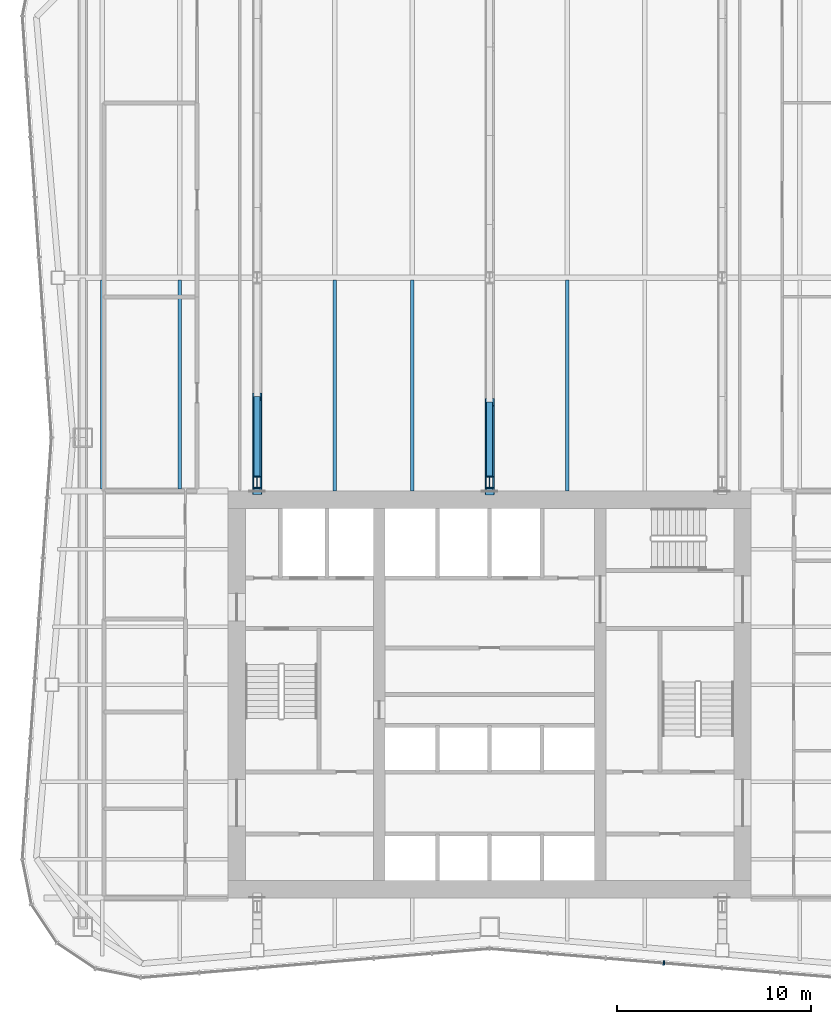
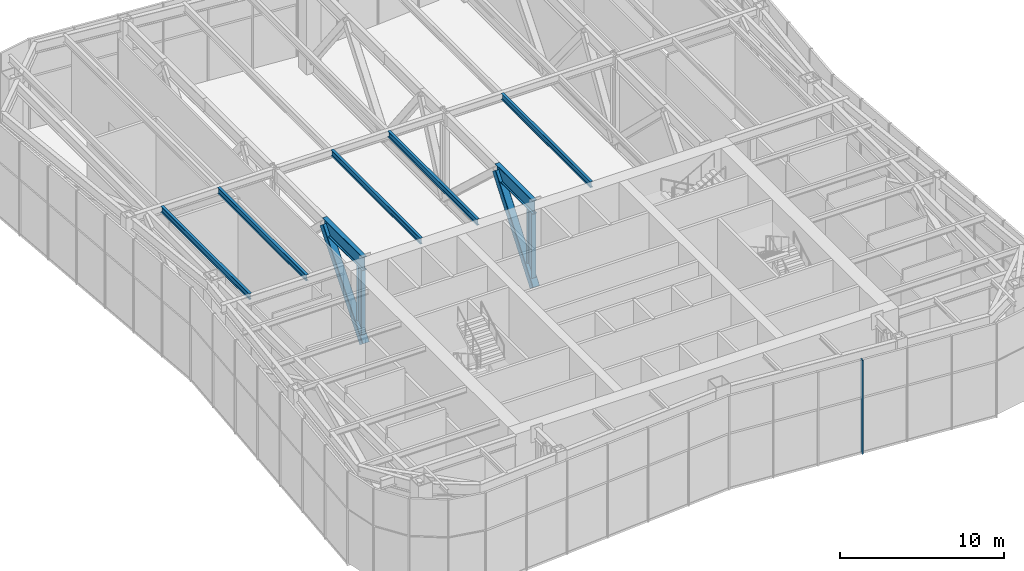
# One storey, part 3 of 14: 7 members, 5 beams, 1 element without a shape of its own.
"""IFC4 building model written with IfcOpenShell, lengths in metres."""

import ifcopenshell
import ifcopenshell.guid

model = None  # the IFC model being written
_history = None  # IfcOwnerHistory: only IFC2X3 demands one
_inside = {}  # id of a spatial element -> (the spatial element, [elements in it])
_under = {}  # id of a project, library or spatial element -> (it, [spatial elements below it])
_declared = {}  # id of a project -> (the project, [libraries it declares])
_typed = {}  # id of a type object -> (the type object, [elements of that type])
_made_of = {}  # id of a material, layer set ... -> (it, [elements and type objects made of it])


def new_model(schema):
    """Start an empty IFC model of exactly this schema.

    Asked for "IFC4X3", IfcOpenShell would pick the latest addendum, in which some entities
    have other attributes; the version numbers below select the first issue.
    IFC2X3 requires an IfcOwnerHistory on every rooted entity: one is made here for all.
    """
    global model, _history
    if schema == "IFC4X3":
        model = ifcopenshell.file(schema_version=(4, 3, 0, 0))
    else:
        model = ifcopenshell.file(schema=schema)
    _inside.clear()
    _under.clear()
    _declared.clear()
    _typed.clear()
    _made_of.clear()
    _history = None
    if model.schema == "IFC2X3":
        org = make("IfcOrganization", Name="unknown")
        user = make(
            "IfcPersonAndOrganization",
            ThePerson=make("IfcPerson", FamilyName="unknown"),
            TheOrganization=org,
        )
        app = make(
            "IfcApplication",
            ApplicationDeveloper=org,
            Version="unknown",
            ApplicationFullName="unknown",
            ApplicationIdentifier="unknown",
        )
        _history = make(
            "IfcOwnerHistory",
            OwningUser=user,
            OwningApplication=app,
            ChangeAction="ADDED",
            CreationDate=0,
        )
    return model


def make(cls, **values):
    """One entity of the class cls with the attributes given. An attribute that is None is left unset."""
    return model.create_entity(
        cls, **{name: value for name, value in values.items() if value is not None}
    )


def rooted(cls, **values):
    """An entity with a GlobalId (a new one), such as an element, a storey or a relation."""
    return make(cls, GlobalId=ifcopenshell.guid.new(), OwnerHistory=_history, **values)


def si_unit(unit_type, name, prefix=None):
    """IfcSIUnit, for example si_unit("LENGTHUNIT", "METRE", prefix="MILLI")."""
    return make("IfcSIUnit", UnitType=unit_type, Prefix=prefix, Name=name)


def assignment(units):
    """IfcUnitAssignment: the units of a project."""
    return None if units is None else make("IfcUnitAssignment", Units=units)


def point(xyz):
    """IfcCartesianPoint."""
    return None if xyz is None else make("IfcCartesianPoint", Coordinates=xyz)


def direction(xyz):
    """IfcDirection."""
    return None if xyz is None else make("IfcDirection", DirectionRatios=xyz)


def frame(location, z_axis=None, x_axis=None):
    """IfcAxis2Placement3D, a coordinate frame: its origin and axes. An axis left out is left unset."""
    return make(
        "IfcAxis2Placement3D",
        Location=point(location),
        Axis=direction(z_axis),
        RefDirection=direction(x_axis),
    )


def frame_2d(location, x_axis=None):
    """IfcAxis2Placement2D, a coordinate frame in the plane: its origin and x axis."""
    return make(
        "IfcAxis2Placement2D", Location=point(location), RefDirection=direction(x_axis)
    )


def origin():
    """The frame at (0, 0, 0) with its axes left unset."""
    return frame((0.0, 0.0, 0.0))


def origin_2d():
    """The frame at (0, 0) in the plane with its x axis left unset."""
    return frame_2d((0.0, 0.0))


def place(relative_to, where):
    """IfcLocalPlacement: puts the frame where relative to a parent placement (None: the world)."""
    return make(
        "IfcLocalPlacement", PlacementRelTo=relative_to, RelativePlacement=where
    )


def context(
    kind, dimensions, precision=None, world=None, true_north=None, identifier=None
):
    """IfcGeometricRepresentationContext, for example the 3D "Model" context."""
    return make(
        "IfcGeometricRepresentationContext",
        ContextIdentifier=identifier,
        ContextType=kind,
        CoordinateSpaceDimension=dimensions,
        Precision=precision,
        WorldCoordinateSystem=world,
        TrueNorth=true_north,
    )


def subcontext(parent, identifier, kind, view, scale=None):
    """IfcGeometricRepresentationSubContext, for example "Body" below "Model"."""
    return make(
        "IfcGeometricRepresentationSubContext",
        ContextIdentifier=identifier,
        ContextType=kind,
        ParentContext=parent,
        TargetScale=scale,
        TargetView=view,
    )


def project(units=None, contexts=None):
    """IfcProject with its units and contexts."""
    return rooted(
        "IfcProject",
        Name="project",
        RepresentationContexts=contexts,
        UnitsInContext=assignment(units),
    )


def spatial(cls, under=None, at=None, **own):
    """A site, building, storey or space (cls), placed at a placement, below another one or the project."""
    s = rooted(cls, ObjectPlacement=at, **own)
    if under is not None:
        _under.setdefault(under.id(), (under, []))[1].append(s)
    return s


def profile(cls, at=None, kind="AREA", **sizes):
    """A parametric profile (cls). Its sizes go by their IFC names, for example OverallWidth=200.0."""
    return make(cls, ProfileType=kind, Position=at, **sizes)


def rectangle(**sizes):
    """IfcRectangleProfileDef."""
    return profile("IfcRectangleProfileDef", **sizes)


def hollow_rectangle(**sizes):
    """IfcRectangleHollowProfileDef."""
    return profile("IfcRectangleHollowProfileDef", **sizes)


def i_section(**sizes):
    """IfcIShapeProfileDef."""
    return profile("IfcIShapeProfileDef", **sizes)


def extrude(swept, where, along, depth):
    """IfcExtrudedAreaSolid: the profile swept, set in the frame where, extruded along a direction by depth."""
    return make(
        "IfcExtrudedAreaSolid",
        SweptArea=swept,
        Position=where,
        ExtrudedDirection=direction(along),
        Depth=depth,
    )


def shape(context_of_items, identifier, shape_type, items):
    """IfcShapeRepresentation: the items that make up one representation, for example the "Body"."""
    return make(
        "IfcShapeRepresentation",
        ContextOfItems=context_of_items,
        RepresentationIdentifier=identifier,
        RepresentationType=shape_type,
        Items=items,
    )


def material(Name=None, Category=None):
    """IfcMaterial."""
    return make("IfcMaterial", Name=Name, Category=Category)


def material_profile(
    of_material, cross_section, Name=None, Category=None, Priority=None
):
    """IfcMaterialProfile: a cross section and its material."""
    return make(
        "IfcMaterialProfile",
        Name=Name,
        Material=of_material,
        Profile=cross_section,
        Priority=Priority,
        Category=Category,
    )


def profile_set(profiles, Name=None, composite=None):
    """IfcMaterialProfileSet."""
    return make(
        "IfcMaterialProfileSet",
        Name=Name,
        MaterialProfiles=profiles,
        CompositeProfile=composite,
    )


def made_of(thing, what):
    """Note that an element or type object is made of a material, layer set ...; save() writes the relation."""
    if what is not None:
        _made_of.setdefault(what.id(), (what, []))[1].append(thing)
    return thing


def type_object(cls, material=None, **own):
    """A type object (cls), such as IfcWallType, which elements share."""
    return made_of(rooted(cls, **own), material)


def element(
    cls,
    number,
    at=None,
    inside=None,
    cuts=None,
    type_object=None,
    material=None,
    context=None,
    identifier="Body",
    shape_type=None,
    held_by="IfcProductDefinitionShape",
    body=None,
    shapes=None,
    **own,
):
    """One element of the class cls, such as IfcWall. Its Tag is "e" and its number.

    at: its placement. inside: the storey or other place that contains it. cuts: it is an
    opening in that element (IfcRelVoidsElement). A single representation is given by context,
    identifier, shape_type and body (its items); several are given by shapes. held_by: the class
    of the entity that holds the representations. save() writes the other relations.
    """
    e = rooted(cls, Tag="e%d" % number, ObjectPlacement=at, **own)
    if body is not None:
        shapes = [shape(context, identifier, shape_type, body)]
    if shapes is not None:
        e.Representation = make(held_by, Representations=shapes)
    if inside is not None:
        _inside.setdefault(inside.id(), (inside, []))[1].append(e)
    if cuts is not None:
        rooted(
            "IfcRelVoidsElement", RelatingBuildingElement=cuts, RelatedOpeningElement=e
        )
    if type_object is not None:
        _typed.setdefault(type_object.id(), (type_object, []))[1].append(e)
    return made_of(e, material)


def aggregate(whole, parts):
    """IfcRelAggregates: a whole, such as a stair, and the parts it consists of."""
    return rooted("IfcRelAggregates", RelatingObject=whole, RelatedObjects=parts)


def save(model, path):
    """Write the relations noted so far, then the file.

    IfcRelAggregates (storeys below a building ...), IfcRelContainedInSpatialStructure (elements
    in a storey), IfcRelDefinesByType, IfcRelAssociatesMaterial and IfcRelDeclares: one each for
    every whole, place, type object, material and project.
    """
    for whole, parts in _under.values():
        aggregate(whole, parts)
    for where, things in _inside.values():
        rooted(
            "IfcRelContainedInSpatialStructure",
            RelatedElements=things,
            RelatingStructure=where,
        )
    for kind, things in _typed.values():
        rooted("IfcRelDefinesByType", RelatedObjects=things, RelatingType=kind)
    for what, things in _made_of.values():
        rooted("IfcRelAssociatesMaterial", RelatedObjects=things, RelatingMaterial=what)
    for by, libraries in _declared.values():
        rooted("IfcRelDeclares", RelatingContext=by, RelatedDefinitions=libraries)
    model.write(path)


model = new_model("IFC4")

# Units and contexts
model_context = context("Model", 3, precision=1e-05, world=origin(), true_north=direction((0.0, 1.0)))
body_context = subcontext(model_context, "Body", "Model", "MODEL_VIEW")
ifc_project = project(units=[si_unit("LENGTHUNIT", "METRE"), si_unit("AREAUNIT", "SQUARE_METRE"), si_unit("VOLUMEUNIT", "CUBIC_METRE"), si_unit("PLANEANGLEUNIT", "RADIAN"), si_unit("MASSUNIT", "GRAM", prefix="KILO")], contexts=[model_context])

# Site, building, storey
site_placement = place(None, origin())
site = spatial("IfcSite", under=ifc_project, at=site_placement, CompositionType="ELEMENT")
building_placement = place(site_placement, origin())
building = spatial("IfcBuilding", under=site, at=building_placement, Name="Verdant Reach Tower", CompositionType="ELEMENT")
storey_placement = place(building_placement, frame((0.0, 0.0, 226.0)))
storey = spatial("IfcBuildingStorey", under=building, at=storey_placement, Name="L52 Plant", CompositionType="ELEMENT", Elevation=226.0)

# Curtain wall, member
ifc_material_1 = material(Name="Anodised aluminium", Category="aluminium")
curtain_wall_type = type_object("IfcCurtainWallType", Name="EN-CW SYSTEM PLANT", PredefinedType="NOTDEFINED", material=ifc_material_1)
curtain_wall_placement = place(storey_placement, origin())
curtain_wall = element("IfcCurtainWall", 1, at=curtain_wall_placement, inside=storey, type_object=curtain_wall_type, Name="Curtain wall south, L52", PredefinedType="NOTDEFINED")
ifc_material_profile_1 = material_profile(ifc_material_1, rectangle(XDim=0.238037109375, YDim=0.080078125, at=origin_2d()), Name="Mullion 80x240")
ifc_profile_set_1 = profile_set([ifc_material_profile_1], Name="Anodised aluminium")
member_type_1 = type_object("IfcMemberType", Name="EN-MULLION PLANT", PredefinedType="MULLION", material=ifc_profile_set_1)
member_1_placement = place(storey_placement, frame((8.990234375, 14.13134765625, -0.35009765625), z_axis=(0.0, 0.0, 1.0), x_axis=(-0.083045479859, -0.996545758244, 0.0)))
member_1 = element("IfcMember", 2, at=member_1_placement, type_object=member_type_1, Name="Mullion south face part 2 4, L52", PredefinedType="MULLION", context=body_context, shape_type="SweptSolid", body=[
    extrude(rectangle(XDim=0.238037109375, YDim=0.080078125, at=origin_2d()), origin(), (0.0, 0.0, 1.0), 7.0),
])
aggregate(curtain_wall, [member_1])

# Beams
ifc_material_2 = material(Name="Steel S355", Category="steel")
ifc_material_profile_2 = material_profile(ifc_material_2, i_section(OverallWidth=0.18994140625, OverallDepth=0.449951171875, WebThickness=0.009521484375, FlangeThickness=0.0146484375, FilletRadius=0.02099609375, at=origin_2d()), Name="IPE 450")
ifc_profile_set_2 = profile_set([ifc_material_profile_2], Name="Steel S355")
beam_type = type_object("IfcBeamType", Name="ST-JOIST-IPE450", PredefinedType="JOIST", material=ifc_profile_set_2)
for number, where, z_axis, x_axis, name in (
    (3, (-20.0, 38.60009765625, 6.64501953125), (0.0, 1.0, 0.0), (-1.0, 0.0, 0.0), "Floor joist, L52 Plant"),
    (4, (-16.0, 38.60009765625, 6.64501953125), (0.0, 1.0, 0.0), (-1.0, 0.0, 0.0), "Floor joist, L52 Plant"),
):
    element("IfcBeam", number, at=place(storey_placement, frame(where, z_axis=z_axis, x_axis=x_axis)), inside=storey, type_object=beam_type, Name=name, PredefinedType="JOIST", context=body_context, shape_type="SweptSolid", body=[
        extrude(i_section(OverallWidth=0.18994140625, OverallDepth=0.449951171875, WebThickness=0.009521484375, FlangeThickness=0.0146484375, FilletRadius=0.02099609375, at=origin_2d()), origin(), (0.0, 0.0, 1.0), 10.7998046875),
    ])
for number, where, z_axis, x_axis, name in (
    (5, (-8.0, 38.5, 6.64501953125), (0.0, 1.0, 0.0), (-1.0, 0.0, 0.0), "Floor joist, L52 Plant"),
    (6, (-4.0, 38.5, 6.64501953125), (0.0, 1.0, 0.0), (-1.0, 0.0, 0.0), "Floor joist, L52 Plant"),
    (7, (4.0, 38.5, 6.64501953125), (0.0, 1.0, 0.0), (-1.0, 0.0, 0.0), "Floor joist, L52 Plant"),
):
    element("IfcBeam", number, at=place(storey_placement, frame(where, z_axis=z_axis, x_axis=x_axis)), inside=storey, type_object=beam_type, Name=name, PredefinedType="JOIST", context=body_context, shape_type="SweptSolid", body=[
        extrude(i_section(OverallWidth=0.18994140625, OverallDepth=0.449951171875, WebThickness=0.009521484375, FlangeThickness=0.0146484375, FilletRadius=0.02099609375, at=origin_2d()), origin(), (0.0, 0.0, 1.0), 10.89990234375),
    ])

# Members
ifc_material_3 = material(Name="Steel S460", Category="steel")
ifc_material_profile_3 = material_profile(ifc_material_3, hollow_rectangle(XDim=0.5, YDim=0.5, WallThickness=0.02490234375, InnerFilletRadius=0.02490234375, OuterFilletRadius=0.050048828125, at=origin_2d()), Name="RHS 500x500x25")
ifc_profile_set_3 = profile_set([ifc_material_profile_3], Name="Steel S460")
member_type_2 = type_object("IfcMemberType", Name="ST-TRUSS-BRACE-RHS500x500x25", PredefinedType="BRACE", material=ifc_profile_set_3)
member_2_placement = place(storey_placement, frame((-12.0, 38.5, 0.406982421875), z_axis=(0.0, 0.63317734868, 0.774006747463), x_axis=(-1.0, 0.0, 0.0)))
element("IfcMember", 8, at=member_2_placement, inside=storey, type_object=member_type_2, Name="Belt truss C north, diagonal, L52 Plant", PredefinedType="BRACE", context=body_context, shape_type="SweptSolid", body=[
    extrude(hollow_rectangle(XDim=0.5, YDim=0.5, WallThickness=0.02490234375, InnerFilletRadius=0.02490234375, OuterFilletRadius=0.050048828125, at=origin_2d()), origin(), (0.0, 0.0, 1.0), 7.698974609375),
])
member_3_placement = place(storey_placement, frame((0.0, 38.5, 0.406982421875), z_axis=(0.0, 0.609662106851, 0.792661412881), x_axis=(-1.0, 0.0, 0.0)))
element("IfcMember", 9, at=member_3_placement, inside=storey, type_object=member_type_2, Name="Belt truss D north, diagonal, L52 Plant", PredefinedType="BRACE", context=body_context, shape_type="SweptSolid", body=[
    extrude(hollow_rectangle(XDim=0.5, YDim=0.5, WallThickness=0.02490234375, InnerFilletRadius=0.02490234375, OuterFilletRadius=0.050048828125, at=origin_2d()), origin(), (0.0, 0.0, 1.0), 7.517578125),
])
ifc_material_profile_4 = material_profile(ifc_material_3, i_section(OverallWidth=0.302001953125, OverallDepth=1.008056640625, WebThickness=0.02099609375, FlangeThickness=0.0400390625, FilletRadius=0.030029296875, at=origin_2d()), Name="HEM 1000")
ifc_profile_set_4 = profile_set([ifc_material_profile_4], Name="Steel S460")
member_type_3 = type_object("IfcMemberType", Name="ST-TRUSS-CHORD-HEM1000", PredefinedType="CHORD", material=ifc_profile_set_4)
member_4_placement = place(storey_placement, frame((-12.0, 38.5, 6.365966796875), z_axis=(0.0, 1.0, 0.0), x_axis=(-1.0, 0.0, 0.0)))
element("IfcMember", 10, at=member_4_placement, inside=storey, type_object=member_type_3, Name="Belt truss C north, top chord, L52 Plant", PredefinedType="CHORD", context=body_context, shape_type="SweptSolid", body=[
    extrude(i_section(OverallWidth=0.302001953125, OverallDepth=1.008056640625, WebThickness=0.02099609375, FlangeThickness=0.0400390625, FilletRadius=0.030029296875, at=origin_2d()), origin(), (0.0, 0.0, 1.0), 4.874755859375),
])
member_5_placement = place(storey_placement, frame((0.0, 38.5, 6.365966796875), z_axis=(0.0, 1.0, 0.0), x_axis=(-1.0, 0.0, 0.0)))
element("IfcMember", 11, at=member_5_placement, inside=storey, type_object=member_type_3, Name="Belt truss D north, top chord, L52 Plant", PredefinedType="CHORD", context=body_context, shape_type="SweptSolid", body=[
    extrude(i_section(OverallWidth=0.302001953125, OverallDepth=1.008056640625, WebThickness=0.02099609375, FlangeThickness=0.0400390625, FilletRadius=0.030029296875, at=origin_2d()), origin(), (0.0, 0.0, 1.0), 4.583251953125),
])
ifc_material_profile_5 = material_profile(ifc_material_3, i_section(OverallWidth=0.304931640625, OverallDepth=0.6201171875, WebThickness=0.02099609375, FlangeThickness=0.0400390625, FilletRadius=0.027099609375, at=origin_2d()), Name="HEM 600")
ifc_profile_set_5 = profile_set([ifc_material_profile_5], Name="Steel S460")
member_type_4 = type_object("IfcMemberType", Name="ST-TRUSS-POST-HEM600", PredefinedType="POST", material=ifc_profile_set_5)
for number, where, z_axis, x_axis, name in (
    (12, (-12.0, 38.949951171875, 0.833984375), (0.0, 0.0, 1.0), (1.0, 0.0, 0.0), "Belt truss C north, end post, L52 Plant"),
    (13, (0.0, 38.949951171875, 0.833984375), (0.0, 0.0, 1.0), (1.0, 0.0, 0.0), "Belt truss D north, end post, L52 Plant"),
):
    element("IfcMember", number, at=place(storey_placement, frame(where, z_axis=z_axis, x_axis=x_axis)), inside=storey, type_object=member_type_4, Name=name, PredefinedType="POST", context=body_context, shape_type="SweptSolid", body=[
        extrude(i_section(OverallWidth=0.304931640625, OverallDepth=0.6201171875, WebThickness=0.02099609375, FlangeThickness=0.0400390625, FilletRadius=0.027099609375, at=origin_2d()), origin(), (0.0, 0.0, 1.0), 5.008056640625),
    ])

save(model, "model.ifc")
